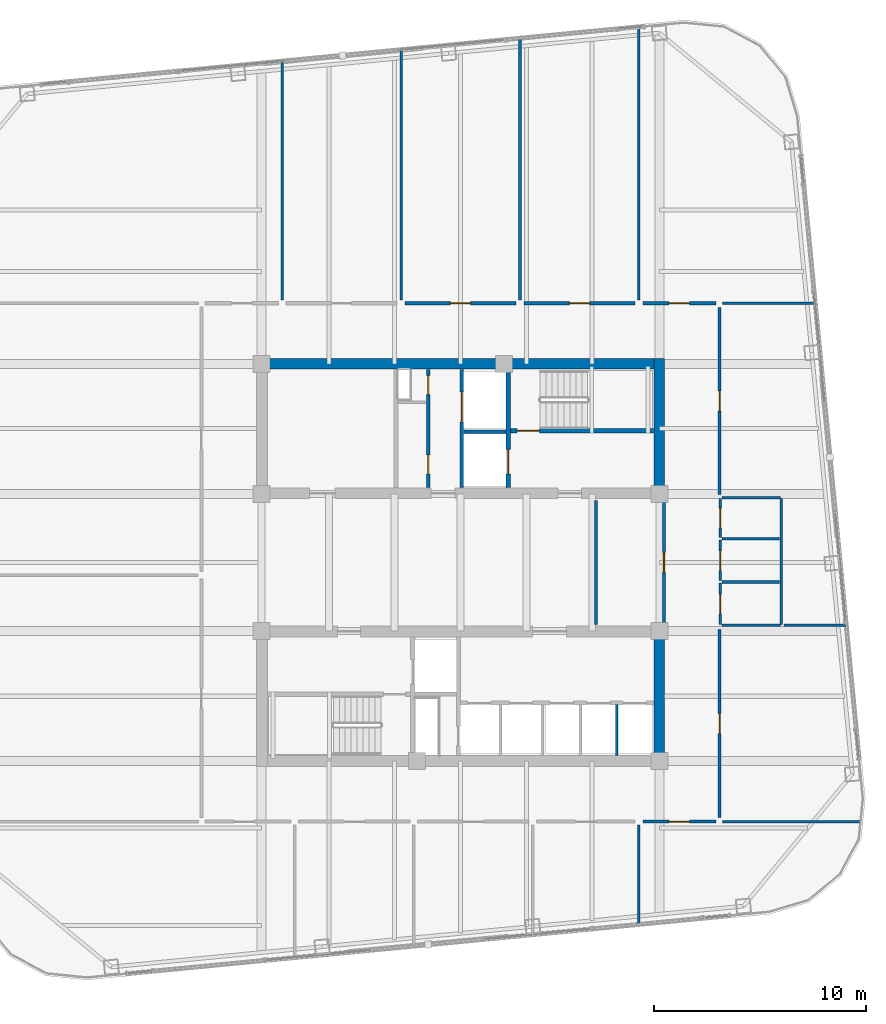
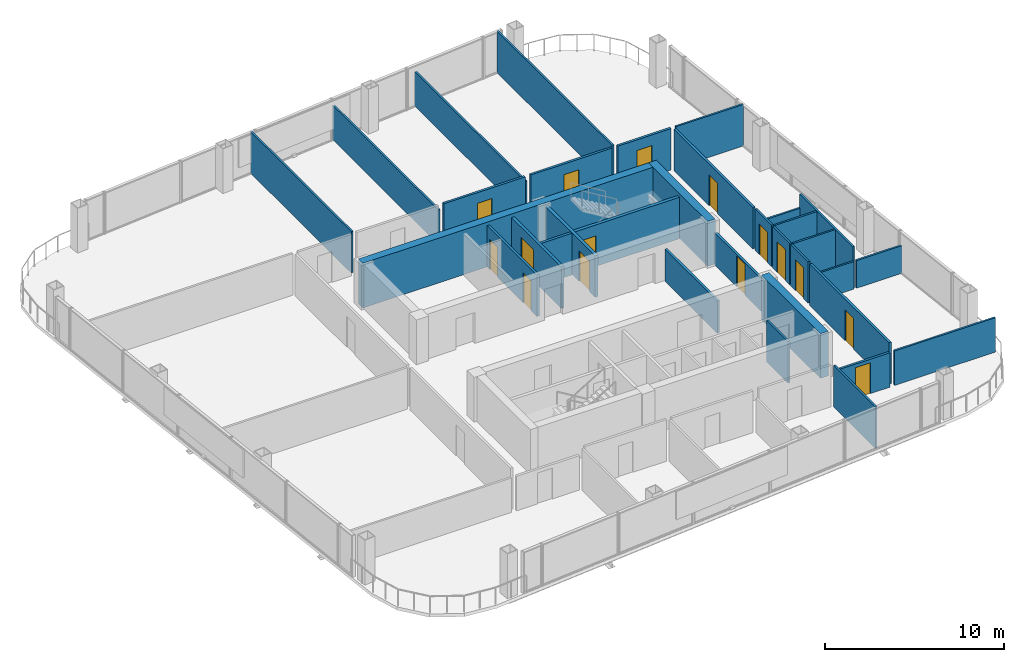
# One storey, part 18 of 22: 33 walls, 15 doors, 15 openings.
"""IFC4 building model written with IfcOpenShell, lengths in metres."""

from ifc_helpers import new_model, si_unit, direction, frame, frame_2d, origin, place, context, subcontext, project, spatial, rectangle, extrude, material, layer, layer_set, type_object, element, fill, save


model = new_model("IFC4")

# Units and contexts
model_context = context("Model", 3, precision=1e-05, world=origin(), true_north=direction((0.0, 1.0)))
body_context = subcontext(model_context, "Body", "Model", "MODEL_VIEW")
ifc_project = project(units=[si_unit("LENGTHUNIT", "METRE"), si_unit("AREAUNIT", "SQUARE_METRE"), si_unit("VOLUMEUNIT", "CUBIC_METRE"), si_unit("PLANEANGLEUNIT", "RADIAN"), si_unit("MASSUNIT", "GRAM", prefix="KILO")], contexts=[model_context])

# Site, building, storey
site_placement = place(None, origin())
site = spatial("IfcSite", under=ifc_project, at=site_placement, CompositionType="ELEMENT")
building_placement = place(site_placement, origin())
building = spatial("IfcBuilding", under=site, at=building_placement, Name="Qhalaya Broadcast Tower", CompositionType="ELEMENT")
storey_placement = place(building_placement, frame((0.0, 0.0, 165.300048828125)))
storey = spatial("IfcBuildingStorey", under=building, at=storey_placement, Name="L48", CompositionType="ELEMENT", Elevation=165.300048828125)

# Wall, openings, doors
ifc_material_1 = material(Name="Gypsum Acoustic Partition")
ifc_layer_1 = layer(ifc_material_1, 0.14990234375, Name="Gypsum Acoustic Partition")
ifc_layer_set_1 = layer_set([ifc_layer_1], Name="Gypsum Acoustic Partition")
wall_type_1 = type_object("IfcWallType", Name="Corridor & Tenancy Acoustic Partition 150", PredefinedType="PARTITIONING", material=ifc_layer_set_1)
wall_1_placement = place(storey_placement, frame((-1.52001953125, 4.1201171875, 0.0), z_axis=(0.0, 0.0, 1.0), x_axis=(0.0, 1.0, 0.0)))
wall_1 = element("IfcWall", 1, at=wall_1_placement, inside=storey, type_object=wall_type_1, Name="L48 Partition Wall NCW-SVL", PredefinedType="PARTITIONING", context=body_context, shape_type="SweptSolid", body=[
    extrude(rectangle(XDim=5.559814453125, YDim=0.14990234375, at=frame_2d((2.77978515625, 0.0))), origin(), (0.0, 0.0, 1.0), 2.829833984375),
])
opening_1_placement = place(wall_1_placement, frame((4.3798828125, 0.0, 0.0)))
opening_1 = element("IfcOpeningElement", 2, at=opening_1_placement, cuts=wall_1, Name="Opening D06", PredefinedType="OPENING", context=body_context, shape_type="SweptSolid", body=[
    extrude(rectangle(XDim=0.89990234375, YDim=2.050048828125, at=frame_2d((0.449951171875, 1.02490234375))), frame((0.0, 0.0869140625, 0.0), z_axis=(0.0, -1.0, 0.0), x_axis=(1.0, 0.0, 0.0)), (0.0, 0.0, 1.0), 0.173828125),
])
opening_2_placement = place(wall_1_placement, frame((0.64990234375, 0.0, 0.0)))
opening_2 = element("IfcOpeningElement", 3, at=opening_2_placement, cuts=wall_1, Name="Opening D06", PredefinedType="OPENING", context=body_context, shape_type="SweptSolid", body=[
    extrude(rectangle(XDim=0.89990234375, YDim=2.050048828125, at=frame_2d((0.449951171875, 1.02490234375))), frame((0.0, 0.0869140625, 0.0), z_axis=(0.0, -1.0, 0.0), x_axis=(1.0, 0.0, 0.0)), (0.0, 0.0, 1.0), 0.173828125),
])
ifc_material_2 = material(Name="Fire-Rated Steel Door", Category="steel")
door_type_1 = type_object("IfcDoorType", Name="Riser & Electrical Shaft Access Door D06", OperationType="NOTDEFINED", PredefinedType="DOOR", material=ifc_material_2)
door_1_placement = place(opening_1_placement, origin())
door_1 = element("IfcDoor", 4, at=door_1_placement, inside=storey, type_object=door_type_1, Name="L48 Riser Shaft Access Door D-NRSR", OperationType="SINGLE_SWING_RIGHT", OverallHeight=2.050048828125, OverallWidth=0.89990234375, PredefinedType="DOOR", context=body_context, shape_type="SweptSolid", body=[
    extrude(rectangle(XDim=0.89990234375, YDim=2.050048828125, at=frame_2d((0.449951171875, 1.02490234375))), frame((0.0, 0.02490234375, 0.0), z_axis=(0.0, -1.0, 0.0), x_axis=(1.0, 0.0, 0.0)), (0.0, 0.0, 1.0), 0.050048828125),
])
fill(opening_1, door_1)
door_2_placement = place(opening_2_placement, origin())
door_2 = element("IfcDoor", 5, at=door_2_placement, inside=storey, type_object=door_type_1, Name="L48 Door D-NCST", OperationType="SINGLE_SWING_LEFT", OverallHeight=2.050048828125, OverallWidth=0.89990234375, PredefinedType="DOOR", context=body_context, shape_type="SweptSolid", body=[
    extrude(rectangle(XDim=0.89990234375, YDim=2.050048828125, at=frame_2d((0.449951171875, 1.02490234375))), frame((0.0, 0.02490234375, 0.0), z_axis=(0.0, -1.0, 0.0), x_axis=(1.0, 0.0, 0.0)), (0.0, 0.0, 1.0), 0.050048828125),
])
fill(opening_2, door_2)

# Wall
wall_2_placement = place(storey_placement, frame((6.3798828125, -2.320068359375, 0.0), z_axis=(0.0, 0.0, 1.0), x_axis=(0.0, 1.0, 0.0)))
element("IfcWall", 6, at=wall_2_placement, inside=storey, type_object=wall_type_1, Name="L48 Partition Wall W-ICHW", PredefinedType="PARTITIONING", context=body_context, shape_type="SweptSolid", body=[
    extrude(rectangle(XDim=5.840087890625, YDim=0.14990234375, at=frame_2d((2.919921875, 0.0))), origin(), (0.0, 0.0, 1.0), 2.197998046875),
])

# Wall, opening, door
wall_3_placement = place(storey_placement, frame((9.580078125, -2.320068359375, 0.0), z_axis=(0.0, 0.0, 1.0), x_axis=(0.0, 1.0, 0.0)))
wall_3 = element("IfcWall", 7, at=wall_3_placement, inside=storey, type_object=wall_type_1, Name="L48 Partition Wall W-ICHE", PredefinedType="PARTITIONING", context=body_context, shape_type="SweptSolid", body=[
    extrude(rectangle(XDim=5.840087890625, YDim=0.14990234375, at=frame_2d((2.919921875, 0.0))), origin(), (0.0, 0.0, 1.0), 2.197998046875),
])
opening_3_placement = place(wall_3_placement, frame((2.445068359375, 0.0, 0.0)))
opening_3 = element("IfcOpeningElement", 8, at=opening_3_placement, cuts=wall_3, Name="Opening D10", PredefinedType="OPENING", context=body_context, shape_type="SweptSolid", body=[
    extrude(rectangle(XDim=0.949951171875, YDim=2.10009765625, at=frame_2d((0.47509765625, 1.050048828125))), frame((0.0, 0.0869140625, 0.0), z_axis=(0.0, -1.0, 0.0), x_axis=(1.0, 0.0, 0.0)), (0.0, 0.0, 1.0), 0.173828125),
])
ifc_material_3 = material(Name="Timber Veneer Acoustic Door", Category="wood")
door_type_2 = type_object("IfcDoorType", Name="Cellular Office & Edit Booth Door D10", OperationType="NOTDEFINED", PredefinedType="DOOR", material=ifc_material_3)
door_3_placement = place(opening_3_placement, origin())
door_3 = element("IfcDoor", 9, at=door_3_placement, inside=storey, type_object=door_type_2, Name="L48 Door D-ICHE", OperationType="SINGLE_SWING_RIGHT", OverallHeight=2.10009765625, OverallWidth=0.949951171875, PredefinedType="DOOR", context=body_context, shape_type="SweptSolid", body=[
    extrude(rectangle(XDim=0.949951171875, YDim=2.10009765625, at=frame_2d((0.47509765625, 1.050048828125))), frame((0.0, 0.02490234375, 0.0), z_axis=(0.0, -1.0, 0.0), x_axis=(1.0, 0.0, 0.0)), (0.0, 0.0, 1.0), 0.050048828125),
])
fill(opening_3, door_3)

wall_4_placement = place(storey_placement, frame((-2.6201171875, 12.800048828125, 0.0), z_axis=(0.0, 0.0, 1.0), x_axis=(1.0, 0.0, 0.0)))
wall_4 = element("IfcWall", 10, at=wall_4_placement, inside=storey, type_object=wall_type_1, Name="L48 Partition Wall W-COR-03", PredefinedType="PARTITIONING", context=body_context, shape_type="SweptSolid", body=[
    extrude(rectangle(XDim=5.240234375, YDim=0.14990234375, at=frame_2d((2.6201171875, 0.0))), origin(), (0.0, 0.0, 1.0), 2.829833984375),
])
opening_4_placement = place(wall_4_placement, frame((2.14501953125, 0.0, 0.0)))
opening_4 = element("IfcOpeningElement", 11, at=opening_4_placement, cuts=wall_4, Name="Opening D10", PredefinedType="OPENING", context=body_context, shape_type="SweptSolid", body=[
    extrude(rectangle(XDim=0.949951171875, YDim=2.10009765625, at=frame_2d((0.47509765625, 1.050048828125))), frame((0.0, 0.0869140625, 0.0), z_axis=(0.0, -1.0, 0.0), x_axis=(1.0, 0.0, 0.0)), (0.0, 0.0, 1.0), 0.173828125),
])
door_4_placement = place(opening_4_placement, origin())
door_4 = element("IfcDoor", 12, at=door_4_placement, inside=storey, type_object=door_type_2, Name="L48 Door D-RM03", OperationType="SINGLE_SWING_RIGHT", OverallHeight=2.10009765625, OverallWidth=0.949951171875, PredefinedType="DOOR", context=body_context, shape_type="SweptSolid", body=[
    extrude(rectangle(XDim=0.949951171875, YDim=2.10009765625, at=frame_2d((0.47509765625, 1.050048828125))), frame((0.0, 0.02490234375, 0.0), z_axis=(0.0, -1.0, 0.0), x_axis=(1.0, 0.0, 0.0)), (0.0, 0.0, 1.0), 0.050048828125),
])
fill(opening_4, door_4)

wall_5_placement = place(storey_placement, frame((2.97998046875, 12.800048828125, 0.0), z_axis=(0.0, 0.0, 1.0), x_axis=(1.0, 0.0, 0.0)))
wall_5 = element("IfcWall", 13, at=wall_5_placement, inside=storey, type_object=wall_type_1, Name="L48 Partition Wall W-COR-04", PredefinedType="PARTITIONING", context=body_context, shape_type="SweptSolid", body=[
    extrude(rectangle(XDim=5.239990234375, YDim=0.14990234375, at=frame_2d((2.6201171875, 0.0))), origin(), (0.0, 0.0, 1.0), 2.829833984375),
])
opening_5_placement = place(wall_5_placement, frame((2.14501953125, 0.0, 0.0)))
opening_5 = element("IfcOpeningElement", 14, at=opening_5_placement, cuts=wall_5, Name="Opening D10", PredefinedType="OPENING", context=body_context, shape_type="SweptSolid", body=[
    extrude(rectangle(XDim=0.949951171875, YDim=2.10009765625, at=frame_2d((0.47509765625, 1.050048828125))), frame((0.0, 0.0869140625, 0.0), z_axis=(0.0, -1.0, 0.0), x_axis=(1.0, 0.0, 0.0)), (0.0, 0.0, 1.0), 0.173828125),
])
door_5_placement = place(opening_5_placement, origin())
door_5 = element("IfcDoor", 15, at=door_5_placement, inside=storey, type_object=door_type_2, Name="L48 Door D-RM04", OperationType="SINGLE_SWING_LEFT", OverallHeight=2.10009765625, OverallWidth=0.949951171875, PredefinedType="DOOR", context=body_context, shape_type="SweptSolid", body=[
    extrude(rectangle(XDim=0.949951171875, YDim=2.10009765625, at=frame_2d((0.47509765625, 1.050048828125))), frame((0.0, 0.02490234375, 0.0), z_axis=(0.0, -1.0, 0.0), x_axis=(1.0, 0.0, 0.0)), (0.0, 0.0, 1.0), 0.050048828125),
])
fill(opening_5, door_5)

wall_6_placement = place(storey_placement, frame((8.580078125, 12.800048828125, 0.0), z_axis=(0.0, 0.0, 1.0), x_axis=(1.0, 0.0, 0.0)))
wall_6 = element("IfcWall", 16, at=wall_6_placement, inside=storey, type_object=wall_type_1, Name="L48 Partition Wall W-COR-05", PredefinedType="PARTITIONING", context=body_context, shape_type="SweptSolid", body=[
    extrude(rectangle(XDim=3.43994140625, YDim=0.14990234375, at=frame_2d((1.719970703125, 0.0))), origin(), (0.0, 0.0, 1.0), 2.829833984375),
])
opening_6_placement = place(wall_6_placement, frame((1.2451171875, 0.0, 0.0)))
opening_6 = element("IfcOpeningElement", 17, at=opening_6_placement, cuts=wall_6, Name="Opening D10", PredefinedType="OPENING", context=body_context, shape_type="SweptSolid", body=[
    extrude(rectangle(XDim=0.949951171875, YDim=2.10009765625, at=frame_2d((0.47509765625, 1.050048828125))), frame((0.0, 0.0869140625, 0.0), z_axis=(0.0, -1.0, 0.0), x_axis=(1.0, 0.0, 0.0)), (0.0, 0.0, 1.0), 0.173828125),
])
door_6_placement = place(opening_6_placement, origin())
door_6 = element("IfcDoor", 18, at=door_6_placement, inside=storey, type_object=door_type_2, Name="L48 Door D-RM05", OperationType="SINGLE_SWING_RIGHT", OverallHeight=2.10009765625, OverallWidth=0.949951171875, PredefinedType="DOOR", context=body_context, shape_type="SweptSolid", body=[
    extrude(rectangle(XDim=0.949951171875, YDim=2.10009765625, at=frame_2d((0.47509765625, 1.050048828125))), frame((0.0, 0.02490234375, 0.0), z_axis=(0.0, -1.0, 0.0), x_axis=(1.0, 0.0, 0.0)), (0.0, 0.0, 1.0), 0.050048828125),
])
fill(opening_6, door_6)

wall_7_placement = place(storey_placement, frame((8.580078125, -11.60009765625, 0.0), z_axis=(0.0, 0.0, 1.0), x_axis=(1.0, 0.0, 0.0)))
wall_7 = element("IfcWall", 19, at=wall_7_placement, inside=storey, type_object=wall_type_1, Name="L48 Partition Wall W-COR-10", PredefinedType="PARTITIONING", context=body_context, shape_type="SweptSolid", body=[
    extrude(rectangle(XDim=3.43994140625, YDim=0.14990234375, at=frame_2d((1.719970703125, 0.0))), origin(), (0.0, 0.0, 1.0), 2.346923828125),
])
opening_7_placement = place(wall_7_placement, frame((1.2451171875, 0.0, 0.0)))
opening_7 = element("IfcOpeningElement", 20, at=opening_7_placement, cuts=wall_7, Name="Opening D10", PredefinedType="OPENING", context=body_context, shape_type="SweptSolid", body=[
    extrude(rectangle(XDim=0.949951171875, YDim=2.10009765625, at=frame_2d((0.47509765625, 1.050048828125))), frame((0.0, 0.0869140625, 0.0), z_axis=(0.0, -1.0, 0.0), x_axis=(1.0, 0.0, 0.0)), (0.0, 0.0, 1.0), 0.173828125),
])
door_7_placement = place(opening_7_placement, origin())
door_7 = element("IfcDoor", 21, at=door_7_placement, inside=storey, type_object=door_type_2, Name="L48 Door D-RM10", OperationType="SINGLE_SWING_LEFT", OverallHeight=2.10009765625, OverallWidth=0.949951171875, PredefinedType="DOOR", context=body_context, shape_type="SweptSolid", body=[
    extrude(rectangle(XDim=0.949951171875, YDim=2.10009765625, at=frame_2d((0.47509765625, 1.050048828125))), frame((0.0, 0.02490234375, 0.0), z_axis=(0.0, -1.0, 0.0), x_axis=(1.0, 0.0, 0.0)), (0.0, 0.0, 1.0), 0.050048828125),
])
fill(opening_7, door_7)

wall_8_placement = place(storey_placement, frame((12.199951171875, -11.39990234375, 0.0), z_axis=(0.0, 0.0, 1.0), x_axis=(0.0, 1.0, 0.0)))
wall_8 = element("IfcWall", 22, at=wall_8_placement, inside=storey, type_object=wall_type_1, Name="L48 Partition Wall W-COR-13", PredefinedType="PARTITIONING", context=body_context, shape_type="SweptSolid", body=[
    extrude(rectangle(XDim=8.83984375, YDim=0.14990234375, at=frame_2d((4.419921875, 0.0))), origin(), (0.0, 0.0, 1.0), 2.829833984375),
])
opening_8_placement = place(wall_8_placement, frame((3.945068359375, 0.0, 0.0)))
opening_8 = element("IfcOpeningElement", 23, at=opening_8_placement, cuts=wall_8, Name="Opening D10", PredefinedType="OPENING", context=body_context, shape_type="SweptSolid", body=[
    extrude(rectangle(XDim=0.949951171875, YDim=2.10009765625, at=frame_2d((0.47509765625, 1.050048828125))), frame((0.0, 0.0869140625, 0.0), z_axis=(0.0, -1.0, 0.0), x_axis=(1.0, 0.0, 0.0)), (0.0, 0.0, 1.0), 0.173828125),
])
door_8_placement = place(opening_8_placement, origin())
door_8 = element("IfcDoor", 24, at=door_8_placement, inside=storey, type_object=door_type_2, Name="L48 Door D-RM13", OperationType="SINGLE_SWING_RIGHT", OverallHeight=2.10009765625, OverallWidth=0.949951171875, PredefinedType="DOOR", context=body_context, shape_type="SweptSolid", body=[
    extrude(rectangle(XDim=0.949951171875, YDim=2.10009765625, at=frame_2d((0.47509765625, 1.050048828125))), frame((0.0, 0.02490234375, 0.0), z_axis=(0.0, -1.0, 0.0), x_axis=(1.0, 0.0, 0.0)), (0.0, 0.0, 1.0), 0.050048828125),
])
fill(opening_8, door_8)

wall_9_placement = place(storey_placement, frame((12.199951171875, 3.800048828125, 0.0), z_axis=(0.0, 0.0, 1.0), x_axis=(0.0, 1.0, 0.0)))
wall_9 = element("IfcWall", 25, at=wall_9_placement, inside=storey, type_object=wall_type_1, Name="L48 Partition Wall W-COR-14", PredefinedType="PARTITIONING", context=body_context, shape_type="SweptSolid", body=[
    extrude(rectangle(XDim=8.800048828125, YDim=0.14990234375, at=frame_2d((4.39990234375, 0.0))), origin(), (0.0, 0.0, 1.0), 2.829833984375),
])
opening_9_placement = place(wall_9_placement, frame((3.925048828125, 0.0, 0.0)))
opening_9 = element("IfcOpeningElement", 26, at=opening_9_placement, cuts=wall_9, Name="Opening D10", PredefinedType="OPENING", context=body_context, shape_type="SweptSolid", body=[
    extrude(rectangle(XDim=0.949951171875, YDim=2.10009765625, at=frame_2d((0.47509765625, 1.050048828125))), frame((0.0, 0.0869140625, 0.0), z_axis=(0.0, -1.0, 0.0), x_axis=(1.0, 0.0, 0.0)), (0.0, 0.0, 1.0), 0.173828125),
])
door_9_placement = place(opening_9_placement, origin())
door_9 = element("IfcDoor", 27, at=door_9_placement, inside=storey, type_object=door_type_2, Name="L48 Door D-RM14", OperationType="SINGLE_SWING_LEFT", OverallHeight=2.10009765625, OverallWidth=0.949951171875, PredefinedType="DOOR", context=body_context, shape_type="SweptSolid", body=[
    extrude(rectangle(XDim=0.949951171875, YDim=2.10009765625, at=frame_2d((0.47509765625, 1.050048828125))), frame((0.0, 0.02490234375, 0.0), z_axis=(0.0, -1.0, 0.0), x_axis=(1.0, 0.0, 0.0)), (0.0, 0.0, 1.0), 0.050048828125),
])
fill(opening_9, door_9)

ifc_material_4 = material(Name="Concrete C50/60", Category="concrete")
ifc_layer_2 = layer(ifc_material_4, 0.199951171875, Name="Concrete C50/60")
ifc_layer_set_2 = layer_set([ifc_layer_2], Name="Concrete C50/60")
wall_type_2 = type_object("IfcWallType", Name="Load-Bearing Stair Shaft Wall 200", PredefinedType="SHEAR", material=ifc_layer_set_2)
wall_10_placement = place(storey_placement, frame((2.360107421875, 6.804931640625, 0.0), z_axis=(0.0, 0.0, 1.0), x_axis=(1.0, 0.0, 0.0)))
wall_10 = element("IfcWall", 28, at=wall_10_placement, inside=storey, type_object=wall_type_2, Name="L48 Stair Core Shear Wall NCW-ST1", PredefinedType="SHEAR", context=body_context, shape_type="SweptSolid", body=[
    extrude(rectangle(XDim=6.719970703125, YDim=0.199951171875, at=frame_2d((3.35986328125, 0.0))), origin(), (0.0, 0.0, 1.0), 2.829833984375),
])
opening_10_placement = place(wall_10_placement, frame((0.300048828125, 0.0, 0.0)))
opening_10 = element("IfcOpeningElement", 29, at=opening_10_placement, cuts=wall_10, Name="Opening D03", PredefinedType="OPENING", context=body_context, shape_type="SweptSolid", body=[
    extrude(rectangle(XDim=1.050048828125, YDim=2.080078125, at=frame_2d((0.52490234375, 1.0400390625))), frame((0.0, 0.112060546875, 0.0), z_axis=(0.0, -1.0, 0.0), x_axis=(1.0, 0.0, 0.0)), (0.0, 0.0, 1.0), 0.223876953125),
])
door_type_3 = type_object("IfcDoorType", Name="Core Stair Protected Fire Door D03", OperationType="NOTDEFINED", PredefinedType="DOOR", material=ifc_material_2)
door_10_placement = place(opening_10_placement, origin())
door_10 = element("IfcDoor", 30, at=door_10_placement, inside=storey, type_object=door_type_3, Name="L48 Door D-NST1", OperationType="SINGLE_SWING_LEFT", OverallHeight=2.080078125, OverallWidth=1.050048828125, PredefinedType="DOOR", context=body_context, shape_type="SweptSolid", body=[
    extrude(rectangle(XDim=1.050048828125, YDim=2.080078125, at=frame_2d((0.52490234375, 1.0400390625))), frame((0.0, 0.02490234375, 0.0), z_axis=(0.0, -1.0, 0.0), x_axis=(1.0, 0.0, 0.0)), (0.0, 0.0, 1.0), 0.050048828125),
])
fill(opening_10, door_10)

wall_11_placement = place(storey_placement, frame((2.25, 4.1201171875, 0.0), z_axis=(0.0, 0.0, 1.0), x_axis=(0.0, 1.0, 0.0)))
wall_11 = element("IfcWall", 31, at=wall_11_placement, inside=storey, type_object=wall_type_2, Name="L48 Stair Core Shear Wall NCW-FF", PredefinedType="SHEAR", context=body_context, shape_type="SweptSolid", body=[
    extrude(rectangle(XDim=5.559814453125, YDim=0.199951171875, at=frame_2d((2.77978515625, 0.0))), origin(), (0.0, 0.0, 1.0), 2.829833984375),
])
opening_11_placement = place(wall_11_placement, frame((0.64990234375, 0.0, 0.0)))
opening_11 = element("IfcOpeningElement", 32, at=opening_11_placement, cuts=wall_11, Name="Opening LD2", PredefinedType="OPENING", context=body_context, shape_type="SweptSolid", body=[
    extrude(rectangle(XDim=1.14990234375, YDim=2.080078125, at=frame_2d((0.574951171875, 1.0400390625))), frame((0.0, 0.112060546875, 0.0), z_axis=(0.0, -1.0, 0.0), x_axis=(1.0, 0.0, 0.0)), (0.0, 0.0, 1.0), 0.223876953125),
])
ifc_material_5 = material(Name="Brushed Stainless Steel Lift Door", Category="steel")
door_type_4 = type_object("IfcDoorType", Name="Firefighting Lift Sliding Landing Door LD2", OperationType="DOUBLE_DOOR_SLIDING", PredefinedType="DOOR", material=ifc_material_5)
door_11_placement = place(opening_11_placement, origin())
door_11 = element("IfcDoor", 33, at=door_11_placement, inside=storey, type_object=door_type_4, Name="L48 Door LD-FF1", OperationType="DOUBLE_DOOR_SLIDING", OverallHeight=2.080078125, OverallWidth=1.14990234375, PredefinedType="DOOR", context=body_context, shape_type="SweptSolid", body=[
    extrude(rectangle(XDim=1.14990234375, YDim=2.080078125, at=frame_2d((0.574951171875, 1.0400390625))), frame((0.0, 0.02490234375, 0.0), z_axis=(0.0, -1.0, 0.0), x_axis=(1.0, 0.0, 0.0)), (0.0, 0.0, 1.0), 0.050048828125),
])
fill(opening_11, door_11)

# Walls
ifc_layer_3 = layer(ifc_material_4, 0.5, Name="Concrete C50/60")
ifc_layer_set_3 = layer_set([ifc_layer_3], Name="Concrete C50/60")
wall_type_3 = type_object("IfcWallType", Name="Mid Split-Core Shear Wall 500", PredefinedType="SHEAR", material=ifc_layer_set_3)
wall_12_placement = place(storey_placement, frame((-9.60009765625, 9.949951171875, 0.0), z_axis=(0.0, 0.0, 1.0), x_axis=(1.0, 0.0, 0.0)))
element("IfcWall", 34, at=wall_12_placement, inside=storey, type_object=wall_type_3, Name="L48 Split-Core Shear Wall CW-NN", PredefinedType="SHEAR", context=body_context, shape_type="SweptSolid", body=[
    extrude(rectangle(XDim=19.2001953125, YDim=0.5, at=frame_2d((9.60009765625, 0.0))), origin(), (0.0, 0.0, 1.0), 3.050048828125),
])
wall_13_placement = place(storey_placement, frame((9.35009765625, 3.60009765625, 0.0), z_axis=(0.0, 0.0, 1.0), x_axis=(0.0, 1.0, 0.0)))
element("IfcWall", 35, at=wall_13_placement, inside=storey, type_object=wall_type_3, Name="L48 Split-Core Shear Wall CW-NE", PredefinedType="SHEAR", context=body_context, shape_type="SweptSolid", body=[
    extrude(rectangle(XDim=6.599853515625, YDim=0.5, at=frame_2d((3.2998046875, 0.0))), origin(), (0.0, 0.0, 1.0), 3.050048828125),
])
wall_14_placement = place(storey_placement, frame((9.35009765625, -9.0, 0.0), z_axis=(0.0, 0.0, 1.0), x_axis=(0.0, 1.0, 0.0)))
element("IfcWall", 36, at=wall_14_placement, inside=storey, type_object=wall_type_3, Name="L48 Split-Core Shear Wall CW-SE", PredefinedType="SHEAR", context=body_context, shape_type="SweptSolid", body=[
    extrude(rectangle(XDim=6.60009765625, YDim=0.5, at=frame_2d((3.300048828125, 0.0))), origin(), (0.0, 0.0, 1.0), 3.050048828125),
])
ifc_layer_4 = layer(ifc_material_1, 0.1201171875, Name="Gypsum Acoustic Partition")
ifc_layer_set_4 = layer_set([ifc_layer_4], Name="Gypsum Acoustic Partition")
wall_type_4 = type_object("IfcWallType", Name="Office, Booth & Sanitary Partition 120", PredefinedType="PARTITIONING", material=ifc_layer_set_4)
wall_15_placement = place(storey_placement, frame((7.360107421875, -8.47998046875, 0.0), z_axis=(0.0, 0.0, 1.0), x_axis=(0.0, 1.0, 0.0)))
element("IfcWall", 37, at=wall_15_placement, inside=storey, type_object=wall_type_4, Name="L48 Partition Wall SCW-HD7", PredefinedType="PARTITIONING", context=body_context, shape_type="SweptSolid", body=[
    extrude(rectangle(XDim=2.3798828125, YDim=0.1201171875, at=frame_2d((1.18994140625, 0.0))), origin(), (0.0, 0.0, 1.0), 2.829833984375),
])

# Wall, opening, door
wall_16_placement = place(storey_placement, frame((12.219970703125, -2.320068359375, 0.0), z_axis=(0.0, 0.0, 1.0), x_axis=(0.0, 1.0, 0.0)))
wall_16 = element("IfcWall", 38, at=wall_16_placement, inside=storey, type_object=wall_type_4, Name="L48 Partition Wall W-WCWA", PredefinedType="PARTITIONING", context=body_context, shape_type="SweptSolid", body=[
    extrude(rectangle(XDim=1.940185546875, YDim=0.1201171875, at=frame_2d((0.97021484375, 0.0))), origin(), (0.0, 0.0, 1.0), 2.829833984375),
])
opening_12_placement = place(wall_16_placement, frame((0.4951171875, 0.0, 0.0)))
opening_12 = element("IfcOpeningElement", 39, at=opening_12_placement, cuts=wall_16, Name="Opening D12", PredefinedType="OPENING", context=body_context, shape_type="SweptSolid", body=[
    extrude(rectangle(XDim=0.919921875, YDim=2.10009765625, at=frame_2d((0.4599609375, 1.050048828125))), frame((0.0, 0.072021484375, 0.0), z_axis=(0.0, -1.0, 0.0), x_axis=(1.0, 0.0, 0.0)), (0.0, 0.0, 1.0), 0.14404296875),
])
door_type_5 = type_object("IfcDoorType", Name="Accessible WC & Restroom Door D12", OperationType="NOTDEFINED", PredefinedType="DOOR", material=ifc_material_3)
door_12_placement = place(opening_12_placement, origin())
door_12 = element("IfcDoor", 40, at=door_12_placement, inside=storey, type_object=door_type_5, Name="L48 Door D-WCA", OperationType="SINGLE_SWING_LEFT", OverallHeight=2.10009765625, OverallWidth=0.919921875, PredefinedType="DOOR", context=body_context, shape_type="SweptSolid", body=[
    extrude(rectangle(XDim=0.919921875, YDim=2.10009765625, at=frame_2d((0.4599609375, 1.050048828125))), frame((0.0, 0.02490234375, 0.0), z_axis=(0.0, -1.0, 0.0), x_axis=(1.0, 0.0, 0.0)), (0.0, 0.0, 1.0), 0.050048828125),
])
fill(opening_12, door_12)

wall_17_placement = place(storey_placement, frame((12.219970703125, -0.25, 0.0), z_axis=(0.0, 0.0, 1.0), x_axis=(0.0, 1.0, 0.0)))
wall_17 = element("IfcWall", 41, at=wall_17_placement, inside=storey, type_object=wall_type_4, Name="L48 Partition Wall W-WCWM", PredefinedType="PARTITIONING", context=body_context, shape_type="SweptSolid", body=[
    extrude(rectangle(XDim=1.89990234375, YDim=0.1201171875, at=frame_2d((0.949951171875, 0.0))), origin(), (0.0, 0.0, 1.0), 2.829833984375),
])
opening_13_placement = place(wall_17_placement, frame((0.47509765625, 0.0, 0.0)))
opening_13 = element("IfcOpeningElement", 42, at=opening_13_placement, cuts=wall_17, Name="Opening D12", PredefinedType="OPENING", context=body_context, shape_type="SweptSolid", body=[
    extrude(rectangle(XDim=0.919921875, YDim=2.10009765625, at=frame_2d((0.4599609375, 1.050048828125))), frame((0.0, 0.072021484375, 0.0), z_axis=(0.0, -1.0, 0.0), x_axis=(1.0, 0.0, 0.0)), (0.0, 0.0, 1.0), 0.14404296875),
])
door_13_placement = place(opening_13_placement, origin())
door_13 = element("IfcDoor", 43, at=door_13_placement, inside=storey, type_object=door_type_5, Name="L48 Door D-WCM", OperationType="SINGLE_SWING_RIGHT", OverallHeight=2.10009765625, OverallWidth=0.919921875, PredefinedType="DOOR", context=body_context, shape_type="SweptSolid", body=[
    extrude(rectangle(XDim=0.919921875, YDim=2.10009765625, at=frame_2d((0.4599609375, 1.050048828125))), frame((0.0, 0.02490234375, 0.0), z_axis=(0.0, -1.0, 0.0), x_axis=(1.0, 0.0, 0.0)), (0.0, 0.0, 1.0), 0.050048828125),
])
fill(opening_13, door_13)

wall_18_placement = place(storey_placement, frame((12.219970703125, 1.780029296875, 0.0), z_axis=(0.0, 0.0, 1.0), x_axis=(0.0, 1.0, 0.0)))
wall_18 = element("IfcWall", 44, at=wall_18_placement, inside=storey, type_object=wall_type_4, Name="L48 Partition Wall W-WCWF", PredefinedType="PARTITIONING", context=body_context, shape_type="SweptSolid", body=[
    extrude(rectangle(XDim=1.830078125, YDim=0.1201171875, at=frame_2d((0.9150390625, 0.0))), origin(), (0.0, 0.0, 1.0), 2.829833984375),
])
opening_14_placement = place(wall_18_placement, frame((0.43994140625, 0.0, 0.0)))
opening_14 = element("IfcOpeningElement", 45, at=opening_14_placement, cuts=wall_18, Name="Opening D12", PredefinedType="OPENING", context=body_context, shape_type="SweptSolid", body=[
    extrude(rectangle(XDim=0.919921875, YDim=2.10009765625, at=frame_2d((0.4599609375, 1.050048828125))), frame((0.0, 0.072021484375, 0.0), z_axis=(0.0, -1.0, 0.0), x_axis=(1.0, 0.0, 0.0)), (0.0, 0.0, 1.0), 0.14404296875),
])
door_14_placement = place(opening_14_placement, origin())
door_14 = element("IfcDoor", 46, at=door_14_placement, inside=storey, type_object=door_type_5, Name="L48 Door D-WCF", OperationType="SINGLE_SWING_LEFT", OverallHeight=2.10009765625, OverallWidth=0.919921875, PredefinedType="DOOR", context=body_context, shape_type="SweptSolid", body=[
    extrude(rectangle(XDim=0.919921875, YDim=2.10009765625, at=frame_2d((0.4599609375, 1.050048828125))), frame((0.0, 0.02490234375, 0.0), z_axis=(0.0, -1.0, 0.0), x_axis=(1.0, 0.0, 0.0)), (0.0, 0.0, 1.0), 0.050048828125),
])
fill(opening_14, door_14)

# Walls
wall_19_placement = place(storey_placement, frame((15.10009765625, -2.320068359375, 0.0), z_axis=(0.0, 0.0, 1.0), x_axis=(0.0, 1.0, 0.0)))
element("IfcWall", 47, at=wall_19_placement, inside=storey, type_object=wall_type_4, Name="L48 Partition Wall W-WCE", PredefinedType="PARTITIONING", context=body_context, shape_type="SweptSolid", body=[
    extrude(rectangle(XDim=5.93017578125, YDim=0.1201171875, at=frame_2d((2.965087890625, 0.0))), origin(), (0.0, 0.0, 1.0), 2.829833984375),
])
for number, where, z_axis, x_axis, name in (
    (48, (12.31005859375, -2.35009765625, 0.0), (0.0, 0.0, 1.0), (1.0, 0.0, 0.0), "L48 Partition Wall W-WCS"),
    (49, (12.31005859375, 3.639892578125, 0.0), (0.0, 0.0, 1.0), (1.0, 0.0, 0.0), "L48 Partition Wall W-WCN"),
):
    element("IfcWall", number, at=place(storey_placement, frame(where, z_axis=z_axis, x_axis=x_axis)), inside=storey, type_object=wall_type_4, Name=name, PredefinedType="PARTITIONING", context=body_context, shape_type="SweptSolid", body=[
        extrude(rectangle(XDim=2.760009765625, YDim=0.1201171875, at=frame_2d((1.3798828125, 0.0))), origin(), (0.0, 0.0, 1.0), 1.883056640625),
    ])
for number, where, z_axis, x_axis, name in (
    (50, (12.31005859375, -0.320068359375, 0.0), (0.0, 0.0, 1.0), (1.0, 0.0, 0.0), "L48 Partition Wall W-WCD1"),
    (51, (12.31005859375, 1.719970703125, 0.0), (0.0, 0.0, 1.0), (1.0, 0.0, 0.0), "L48 Partition Wall W-WCD2"),
):
    element("IfcWall", number, at=place(storey_placement, frame(where, z_axis=z_axis, x_axis=x_axis)), inside=storey, type_object=wall_type_4, Name=name, PredefinedType="PARTITIONING", context=body_context, shape_type="SweptSolid", body=[
        extrude(rectangle(XDim=2.719970703125, YDim=0.1201171875, at=frame_2d((1.35986328125, 0.0))), origin(), (0.0, 0.0, 1.0), 2.829833984375),
    ])
wall_20_placement = place(storey_placement, frame((12.340087890625, 12.800048828125, 0.0), z_axis=(0.0, 0.0, 1.0), x_axis=(1.0, 0.0, 0.0)))
element("IfcWall", 52, at=wall_20_placement, inside=storey, type_object=wall_type_4, Name="L48 Partition Wall W-BNDE1", PredefinedType="PARTITIONING", context=body_context, shape_type="SweptSolid", body=[
    extrude(rectangle(XDim=4.35546875, YDim=0.1201171875, at=frame_2d((2.177734375, 0.0))), origin(), (0.0, 0.0, 1.0), 2.829833984375),
])
wall_21_placement = place(storey_placement, frame((12.340087890625, -11.60009765625, 0.0), z_axis=(0.0, 0.0, 1.0), x_axis=(1.0, 0.0, 0.0)))
element("IfcWall", 53, at=wall_21_placement, inside=storey, type_object=wall_type_4, Name="L48 Partition Wall W-BNDE2", PredefinedType="PARTITIONING", context=body_context, shape_type="SweptSolid", body=[
    extrude(rectangle(XDim=6.489990234375, YDim=0.1201171875, at=frame_2d((3.2451171875, 0.0))), origin(), (0.0, 0.0, 1.0), 2.346923828125),
])
wall_22_placement = place(storey_placement, frame((-8.39990234375, 12.9599609375, 0.0), z_axis=(0.0, 0.0, 1.0), x_axis=(0.0, 1.0, 0.0)))
element("IfcWall", 54, at=wall_22_placement, inside=storey, type_object=wall_type_4, Name="L48 Partition Wall W-DIVN1", PredefinedType="PARTITIONING", context=body_context, shape_type="SweptSolid", body=[
    extrude(rectangle(XDim=11.2392578125, YDim=0.1201171875, at=frame_2d((5.61962890625, 0.0))), origin(), (0.0, 0.0, 1.0), 2.829833984375),
])
wall_23_placement = place(storey_placement, frame((-2.800048828125, 12.9599609375, 0.0), z_axis=(0.0, 0.0, 1.0), x_axis=(0.0, 1.0, 0.0)))
element("IfcWall", 55, at=wall_23_placement, inside=storey, type_object=wall_type_4, Name="L48 Partition Wall W-DIVN2", PredefinedType="PARTITIONING", context=body_context, shape_type="SweptSolid", body=[
    extrude(rectangle(XDim=11.778564453125, YDim=0.1201171875, at=frame_2d((5.88916015625, 0.0))), origin(), (0.0, 0.0, 1.0), 2.346923828125),
])
wall_24_placement = place(storey_placement, frame((2.800048828125, 12.9599609375, 0.0), z_axis=(0.0, 0.0, 1.0), x_axis=(0.0, 1.0, 0.0)))
element("IfcWall", 56, at=wall_24_placement, inside=storey, type_object=wall_type_4, Name="L48 Partition Wall W-DIVN3", PredefinedType="PARTITIONING", context=body_context, shape_type="SweptSolid", body=[
    extrude(rectangle(XDim=12.317626953125, YDim=0.1201171875, at=frame_2d((6.15869140625, 0.0))), origin(), (0.0, 0.0, 1.0), 2.346923828125),
])
wall_25_placement = place(storey_placement, frame((8.39990234375, 12.9599609375, 0.0), z_axis=(0.0, 0.0, 1.0), x_axis=(0.0, 1.0, 0.0)))
element("IfcWall", 57, at=wall_25_placement, inside=storey, type_object=wall_type_4, Name="L48 Partition Wall W-DIVN4", PredefinedType="PARTITIONING", context=body_context, shape_type="SweptSolid", body=[
    extrude(rectangle(XDim=12.85693359375, YDim=0.1201171875, at=frame_2d((6.428466796875, 0.0))), origin(), (0.0, 0.0, 1.0), 2.829833984375),
])
wall_26_placement = place(storey_placement, frame((8.39990234375, -16.4375, 0.0), z_axis=(0.0, 0.0, 1.0), x_axis=(0.0, 1.0, 0.0)))
element("IfcWall", 58, at=wall_26_placement, inside=storey, type_object=wall_type_4, Name="L48 Partition Wall W-DIVS4", PredefinedType="PARTITIONING", context=body_context, shape_type="SweptSolid", body=[
    extrude(rectangle(XDim=4.677490234375, YDim=0.1201171875, at=frame_2d((2.3388671875, 0.0))), origin(), (0.0, 0.0, 1.0), 2.829833984375),
])
wall_27_placement = place(storey_placement, frame((15.239990234375, -2.35009765625, 0.0), z_axis=(0.0, 0.0, 1.0), x_axis=(1.0, 0.0, 0.0)))
element("IfcWall", 59, at=wall_27_placement, inside=storey, type_object=wall_type_4, Name="L48 Partition Wall W-DIVE-WC", PredefinedType="PARTITIONING", context=body_context, shape_type="SweptSolid", body=[
    extrude(rectangle(XDim=2.914306640625, YDim=0.1201171875, at=frame_2d((1.45703125, 0.0))), origin(), (0.0, 0.0, 1.0), 1.883056640625),
])

# Wall, opening, door
ifc_layer_5 = layer(ifc_material_1, 0.175048828125, Name="Gypsum Acoustic Partition")
ifc_layer_set_5 = layer_set([ifc_layer_5], Name="Gypsum Acoustic Partition")
wall_type_5 = type_object("IfcWallType", Name="Shaft & Riser Fire Partition 175", PredefinedType="PARTITIONING", material=ifc_layer_set_5)
wall_28_placement = place(storey_placement, frame((0.06005859375, 4.1201171875, 0.0), z_axis=(0.0, 0.0, 1.0), x_axis=(0.0, 1.0, 0.0)))
wall_28 = element("IfcWall", 60, at=wall_28_placement, inside=storey, type_object=wall_type_5, Name="L48 Partition Wall NCW-SVW", PredefinedType="PARTITIONING", context=body_context, shape_type="SweptSolid", body=[
    extrude(rectangle(XDim=5.559814453125, YDim=0.175048828125, at=frame_2d((2.77978515625, 0.0))), origin(), (0.0, 0.0, 1.0), 2.829833984375),
])
opening_15_placement = place(wall_28_placement, frame((3.10009765625, 0.0, 0.0)))
opening_15 = element("IfcOpeningElement", 61, at=opening_15_placement, cuts=wall_28, Name="Opening LD3", PredefinedType="OPENING", context=body_context, shape_type="SweptSolid", body=[
    extrude(rectangle(XDim=1.39990234375, YDim=2.1201171875, at=frame_2d((0.699951171875, 1.06005859375))), frame((0.0, 0.099609375, 0.0), z_axis=(0.0, -1.0, 0.0), x_axis=(1.0, 0.0, 0.0)), (0.0, 0.0, 1.0), 0.198974609375),
])
door_type_6 = type_object("IfcDoorType", Name="Service Lift Wide Sliding Landing Door LD3", OperationType="DOUBLE_DOOR_SLIDING", PredefinedType="DOOR", material=ifc_material_5)
door_15_placement = place(opening_15_placement, origin())
door_15 = element("IfcDoor", 62, at=door_15_placement, inside=storey, type_object=door_type_6, Name="L48 Door LD-SV1", OperationType="DOUBLE_DOOR_SLIDING", OverallHeight=2.1201171875, OverallWidth=1.39990234375, PredefinedType="DOOR", context=body_context, shape_type="SweptSolid", body=[
    extrude(rectangle(XDim=1.39990234375, YDim=2.1201171875, at=frame_2d((0.699951171875, 1.06005859375))), frame((0.0, 0.02490234375, 0.0), z_axis=(0.0, -1.0, 0.0), x_axis=(1.0, 0.0, 0.0)), (0.0, 0.0, 1.0), 0.050048828125),
])
fill(opening_15, door_15)

# Wall
wall_29_placement = place(storey_placement, frame((0.159912109375, 6.75, 0.0), z_axis=(0.0, 0.0, 1.0), x_axis=(1.0, 0.0, 0.0)))
element("IfcWall", 63, at=wall_29_placement, inside=storey, type_object=wall_type_5, Name="L48 Partition Wall NCW-SVM", PredefinedType="PARTITIONING", context=body_context, shape_type="SweptSolid", body=[
    extrude(rectangle(XDim=1.97998046875, YDim=0.175048828125, at=frame_2d((0.989990234375, 0.0))), origin(), (0.0, 0.0, 1.0), 2.829833984375),
])

save(model, "model.ifc")
